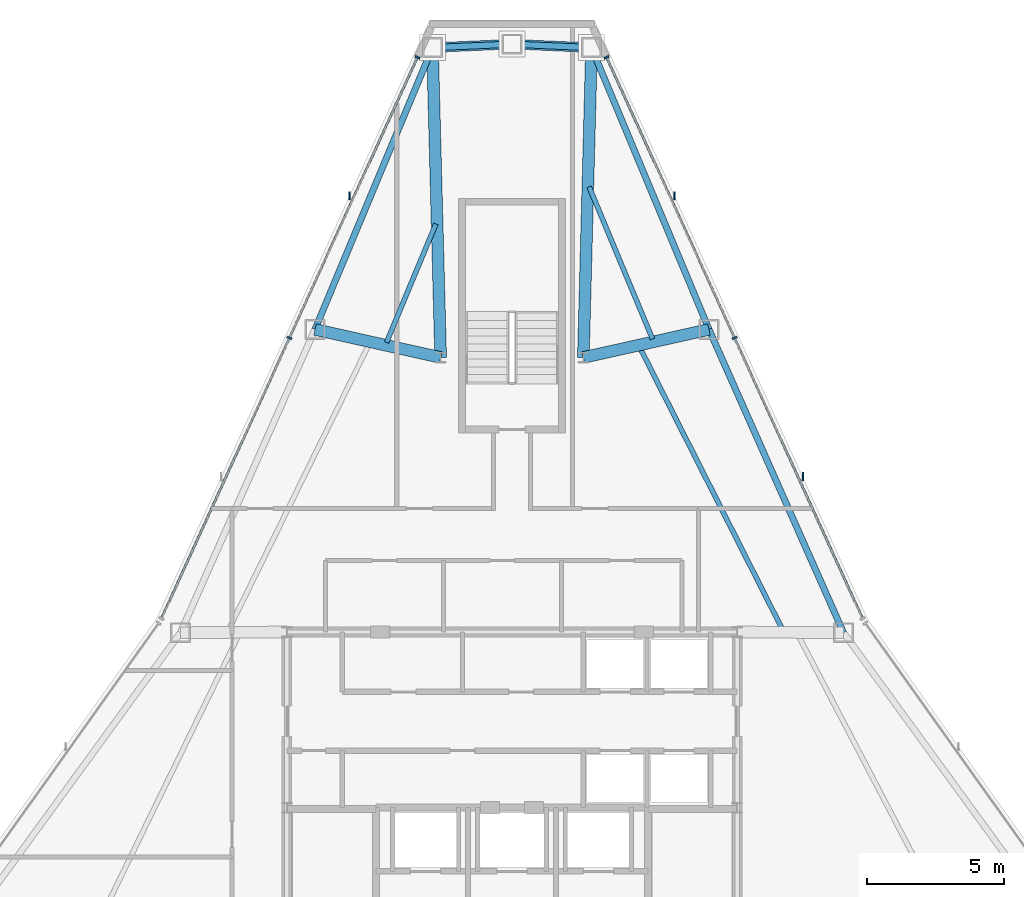
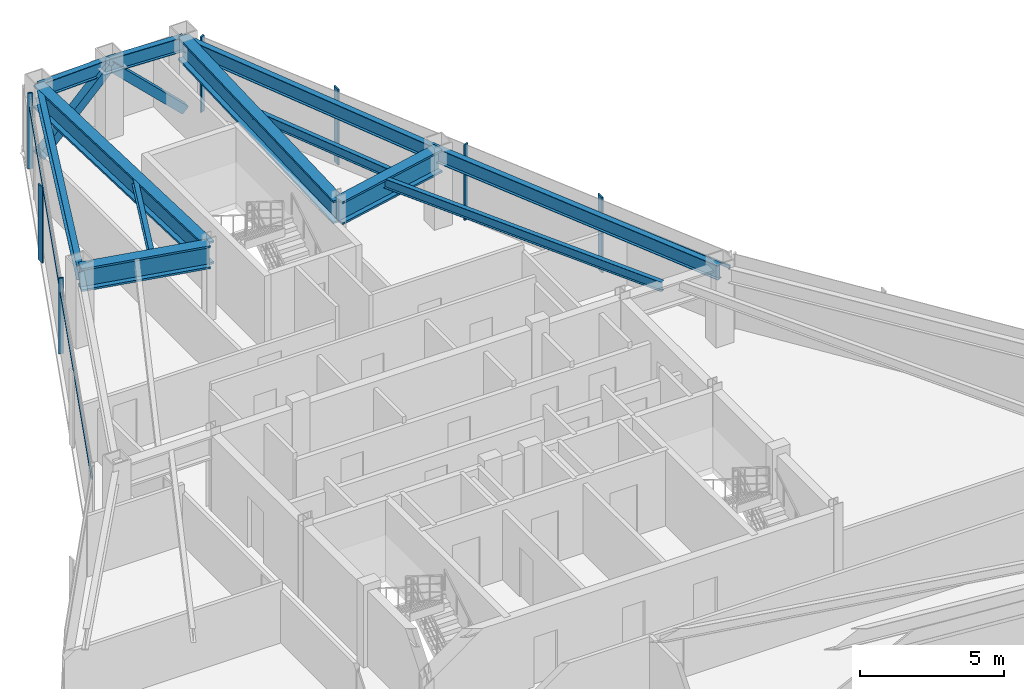
# One storey, part 7 of 11: 12 beams, 11 members, 2 elements without a shape of their own.
"""IFC4 building model written with IfcOpenShell, lengths in metres."""

from ifc_helpers import new_model, si_unit, direction, frame, origin, origin_2d, place, context, subcontext, project, spatial, rectangle, hollow_rectangle, i_section, extrude, source, transform, mapped, material, layer, layer_set, material_profile, profile_set, type_object, type_shapes, element, aggregate, save


model = new_model("IFC4")

# Units and contexts
model_context = context("Model", 3, precision=1e-05, world=origin(), true_north=direction((0.0, 1.0)))
body_context = subcontext(model_context, "Body", "Model", "MODEL_VIEW")
ifc_project = project(units=[si_unit("LENGTHUNIT", "METRE"), si_unit("AREAUNIT", "SQUARE_METRE"), si_unit("VOLUMEUNIT", "CUBIC_METRE"), si_unit("PLANEANGLEUNIT", "RADIAN"), si_unit("MASSUNIT", "GRAM", prefix="KILO")], contexts=[model_context])

# Site, building, storey
site_placement = place(None, origin())
site = spatial("IfcSite", under=ifc_project, at=site_placement, CompositionType="ELEMENT")
building_placement = place(site_placement, origin())
building = spatial("IfcBuilding", under=site, at=building_placement, Name="Varakhsha Concourse Tower", CompositionType="ELEMENT")
storey_placement = place(building_placement, frame((0.0, 0.0, 246.89990234375)))
storey = spatial("IfcBuildingStorey", under=building, at=storey_placement, Name="L70", CompositionType="ELEMENT", Elevation=246.89990234375)

# Beams
ifc_material_1 = material(Name="Structural Steel ASTM A992 Grade 50", Category="steel")
ifc_material_profile_1 = material_profile(ifc_material_1, i_section(OverallWidth=0.177978515625, OverallDepth=0.406982421875, WebThickness=0.008056640625, FlangeThickness=0.012939453125, at=origin_2d()), Name="W16X40")
ifc_profile_set_1 = profile_set([ifc_material_profile_1], Name="Structural Steel ASTM A992 Grade 50")
beam_type_1 = type_object("IfcBeamType", Name="BM-JST-W16X40", PredefinedType="JOIST", material=ifc_profile_set_1)
beam_1_placement = place(storey_placement, frame((37.22705078125, 46.066162109375, 2.99658203125), z_axis=(-0.384778558787, -0.923008916911, 0.0), x_axis=(0.923008916911, -0.384778558787, 0.0)))
element("IfcBeam", 1, at=beam_1_placement, inside=storey, type_object=beam_type_1, Name="BM-TJST-L70-03", PredefinedType="JOIST", context=body_context, shape_type="SweptSolid", body=[
    extrude(i_section(OverallWidth=0.177978515625, OverallDepth=0.406982421875, WebThickness=0.008056640625, FlangeThickness=0.012939453125, at=origin_2d()), origin(), (0.0, 0.0, 1.0), 4.67431640625),
])
beam_2_placement = place(storey_placement, frame((49.857177734375, 31.28662109375, 2.99658203125), z_axis=(-0.451444386445, 0.892299258067, 0.0), x_axis=(-0.892299258067, -0.451444386445, 0.0)))
element("IfcBeam", 2, at=beam_2_placement, inside=storey, type_object=beam_type_1, Name="BM-TJST-L70-17", PredefinedType="JOIST", context=body_context, shape_type="SweptSolid", body=[
    extrude(i_section(OverallWidth=0.177978515625, OverallDepth=0.406982421875, WebThickness=0.008056640625, FlangeThickness=0.012939453125, at=origin_2d()), origin(), (0.0, 0.0, 1.0), 11.50439453125),
])
beam_3_placement = place(storey_placement, frame((45.120849609375, 41.87451171875, 2.99658203125), z_axis=(-0.384779810323, 0.923008395177, 0.0), x_axis=(-0.923008395177, -0.384779810323, 0.0)))
element("IfcBeam", 3, at=beam_3_placement, inside=storey, type_object=beam_type_1, Name="BM-TJST-L70-18", PredefinedType="JOIST", context=body_context, shape_type="SweptSolid", body=[
    extrude(i_section(OverallWidth=0.177978515625, OverallDepth=0.406982421875, WebThickness=0.008056640625, FlangeThickness=0.012939453125, at=origin_2d()), origin(), (0.0, 0.0, 1.0), 6.00927734375),
])
ifc_material_profile_2 = material_profile(ifc_material_1, i_section(OverallWidth=0.22900390625, OverallDepth=0.612060546875, WebThickness=0.011962890625, FlangeThickness=0.02001953125, at=origin_2d()), Name="W24X84")
ifc_profile_set_2 = profile_set([ifc_material_profile_2], Name="Structural Steel ASTM A992 Grade 50")
beam_type_2 = type_object("IfcBeamType", Name="BM-SPAN-W24X84", PredefinedType="SPANDREL", material=ifc_profile_set_2)
for number, where, z_axis, x_axis, name in (
    (4, (42.89697265625, 52.490478515625, 2.89404296875), (-0.99904484587, 0.043696635345, 0.0), (-0.043696635345, -0.99904484587, 0.0), "BM-SPAN-L70-01"),
    (5, (40.0, 52.6171875, 2.89404296875), (-0.99904484587, -0.043696635345, 0.0), (0.043696635345, -0.99904484587, 0.0), "BM-SPAN-L70-02"),
):
    element("IfcBeam", number, at=place(storey_placement, frame(where, z_axis=z_axis, x_axis=x_axis)), inside=storey, type_object=beam_type_2, Name=name, PredefinedType="SPANDREL", context=body_context, shape_type="SweptSolid", body=[
        extrude(i_section(OverallWidth=0.22900390625, OverallDepth=0.612060546875, WebThickness=0.011962890625, FlangeThickness=0.02001953125, at=origin_2d()), origin(), (0.0, 0.0, 1.0), 2.899658203125),
    ])
beam_4_placement = place(storey_placement, frame((37.10302734375, 52.490478515625, 2.89404296875), z_axis=(-0.3847852447, -0.923006129698, 0.0), x_axis=(0.923006129698, -0.3847852447, 0.0)))
element("IfcBeam", 6, at=beam_4_placement, inside=storey, type_object=beam_type_2, Name="BM-SPAN-L70-03", PredefinedType="SPANDREL", context=body_context, shape_type="SweptSolid", body=[
    extrude(i_section(OverallWidth=0.22900390625, OverallDepth=0.612060546875, WebThickness=0.011962890625, FlangeThickness=0.02001953125, at=origin_2d()), origin(), (0.0, 0.0, 1.0), 11.123779296875),
])
beam_5_placement = place(storey_placement, frame((52.0791015625, 31.173828125, 2.89404296875), z_axis=(-0.405519963053, 0.914086188259, 0.0), x_axis=(-0.914086188259, -0.405519963053, 0.0)))
element("IfcBeam", 7, at=beam_5_placement, inside=storey, type_object=beam_type_2, Name="BM-SPAN-L70-17", PredefinedType="SPANDREL", context=body_context, shape_type="SweptSolid", body=[
    extrude(i_section(OverallWidth=0.22900390625, OverallDepth=0.612060546875, WebThickness=0.011962890625, FlangeThickness=0.02001953125, at=origin_2d()), origin(), (0.0, 0.0, 1.0), 12.087890625),
])
beam_6_placement = place(storey_placement, frame((47.17724609375, 42.22314453125, 2.89404296875), z_axis=(-0.3847852447, 0.923006129698, 0.0), x_axis=(-0.923006129698, -0.3847852447, 0.0)))
element("IfcBeam", 8, at=beam_6_placement, inside=storey, type_object=beam_type_2, Name="BM-SPAN-L70-18", PredefinedType="SPANDREL", context=body_context, shape_type="SweptSolid", body=[
    extrude(i_section(OverallWidth=0.22900390625, OverallDepth=0.612060546875, WebThickness=0.011962890625, FlangeThickness=0.02001953125, at=origin_2d()), origin(), (0.0, 0.0, 1.0), 11.123779296875),
])
ifc_material_profile_3 = material_profile(ifc_material_1, i_section(OverallWidth=0.427978515625, OverallDepth=0.97509765625, WebThickness=0.050048828125, FlangeThickness=0.0810546875, at=origin_2d()), Name="W36X395")
ifc_profile_set_3 = profile_set([ifc_material_profile_3], Name="Structural Steel ASTM A992 Grade 50")
beam_type_3 = type_object("IfcBeamType", Name="BM-XFER-W36X395", PredefinedType="USERDEFINED", material=ifc_profile_set_3)
for number, where, z_axis, x_axis, name in (
    (9, (42.60009765625, 41.199951171875, 2.712646484375), (0.026285081021, 0.999654487568, 0.0), (-0.999654487568, 0.026285081021, 0.0), "L70 Radial Floor Girder 01"),
    (10, (37.39990234375, 41.199951171875, 2.712646484375), (-0.026285081021, 0.999654487568, 0.0), (-0.999654487568, -0.026285081021, 0.0), "L70 Radial Floor Girder 03"),
):
    element("IfcBeam", number, at=place(storey_placement, frame(where, z_axis=z_axis, x_axis=x_axis)), inside=storey, type_object=beam_type_3, Name=name, ObjectType="GIRDER", PredefinedType="USERDEFINED", context=body_context, shape_type="SweptSolid", body=[
        extrude(i_section(OverallWidth=0.427978515625, OverallDepth=0.97509765625, WebThickness=0.050048828125, FlangeThickness=0.0810546875, at=origin_2d()), origin(), (0.0, 0.0, 1.0), 11.29443359375),
    ])
for number, where, z_axis, x_axis, name in (
    (11, (37.39990234375, 41.199951171875, 2.712646484375), (-0.975913154691, 0.21815937867, 0.0), (-0.21815937867, -0.975913154691, 0.0), "L70 Radial Floor Girder 04"),
    (12, (42.60009765625, 41.199951171875, 2.712646484375), (0.975913154691, 0.21815937867, 0.0), (-0.21815937867, 0.975913154691, 0.0), "L70 Radial Floor Girder 18"),
):
    element("IfcBeam", number, at=place(storey_placement, frame(where, z_axis=z_axis, x_axis=x_axis)), inside=storey, type_object=beam_type_3, Name=name, ObjectType="GIRDER", PredefinedType="USERDEFINED", context=body_context, shape_type="SweptSolid", body=[
        extrude(i_section(OverallWidth=0.427978515625, OverallDepth=0.97509765625, WebThickness=0.050048828125, FlangeThickness=0.0810546875, at=origin_2d()), origin(), (0.0, 0.0, 1.0), 4.690185546875),
    ])

# Members
ifc_material_2 = material(Name="Structural Steel ASTM A500 Grade C", Category="steel")
ifc_material_profile_4 = material_profile(ifc_material_2, hollow_rectangle(XDim=0.35009765625, YDim=0.35009765625, WallThickness=0.01611328125, at=origin_2d()), Name="HSS 350x350x16")
ifc_profile_set_4 = profile_set([ifc_material_profile_4], Name="Structural Steel ASTM A500 Grade C")
member_type_1 = type_object("IfcMemberType", Name="MB-TUBE-HSS350", PredefinedType="BRACE", material=ifc_profile_set_4)
shared_shape_1 = source(origin(), body_context, "Body", "SweptSolid", [
    extrude(hollow_rectangle(XDim=0.35009765625, YDim=0.35009765625, WallThickness=0.01611328125, at=origin_2d()), origin(), (0.0, 0.0, 1.0), 4.01708984375),
])
type_shapes(member_type_1, [shared_shape_1])
for number, where, z_axis, x_axis, name in (
    (13, (42.89697265625, 52.490478515625, 0.1201171875), (-0.721160735566, 0.031542425565, 0.692049325458), (-0.043696635345, -0.99904484587, 0.0), "L70 Wind-Corner Tube Brace B01"),
    (14, (37.10302734375, 52.490478515625, 0.1201171875), (0.721160735566, 0.031542425565, 0.692049325458), (-0.043696635345, 0.99904484587, 0.0), "L70 Wind-Corner Tube Brace B02"),
):
    element("IfcMember", number, at=place(storey_placement, frame(where, z_axis=z_axis, x_axis=x_axis)), inside=storey, type_object=member_type_1, Name=name, PredefinedType="BRACE", context=body_context, shape_type="MappedRepresentation", body=[
        mapped(shared_shape_1, transform((0.0, 0.0, 0.0), scale=1.0)),
    ])

# Curtain wall, member
ifc_material_3 = material(Name="Anodised Bronze Architectural Aluminium AA 6063-T6", Category="aluminium")
ifc_layer = layer(ifc_material_3, 0.199951171875, Name="CW-SYS-05")
ifc_layer_set = layer_set([ifc_layer], Name="Anodised Bronze Architectural Aluminium AA 6063-T6")
curtain_wall_type = type_object("IfcCurtainWallType", Name="CW-SYS-05", PredefinedType="NOTDEFINED", material=ifc_layer_set)
curtain_wall_1_placement = place(storey_placement, origin())
curtain_wall_1 = element("IfcCurtainWall", 15, at=curtain_wall_1_placement, inside=storey, type_object=curtain_wall_type, Name="L70 Crystal Curtain Wall F2", PredefinedType="NOTDEFINED")
ifc_material_profile_5 = material_profile(ifc_material_3, rectangle(XDim=0.06005859375, YDim=0.139892578125, at=origin_2d()), Name="CWT-140X60")
ifc_profile_set_5 = profile_set([ifc_material_profile_5], Name="Anodised Bronze Architectural Aluminium AA 6063-T6")
member_type_2 = type_object("IfcMemberType", Name="CWT-140X60", PredefinedType="USERDEFINED", material=ifc_profile_set_5)
shared_shape_2 = source(origin(), body_context, "Body", "SweptSolid", [
    extrude(rectangle(XDim=0.06005859375, YDim=0.139892578125, at=origin_2d()), origin(), (0.0, 0.0, 1.0), 22.481201171875),
])
type_shapes(member_type_2, [shared_shape_2])
member_1_placement = place(storey_placement, frame((27.223388671875, 31.686279296875, 2.550048828125), z_axis=(0.415124719338, 0.909764512055, 0.0), x_axis=(-0.909764512055, 0.415124719338, 0.0)))
member_1 = element("IfcMember", 16, at=member_1_placement, type_object=member_type_2, Name="CW-L70-F2 Transom 01", ObjectType="TRANSOM", PredefinedType="USERDEFINED", context=body_context, shape_type="MappedRepresentation", body=[
    mapped(shared_shape_2, transform((0.0, 0.0, 0.0), scale=1.0)),
])

curtain_wall_2_placement = place(storey_placement, origin())
curtain_wall_2 = element("IfcCurtainWall", 17, at=curtain_wall_2_placement, inside=storey, type_object=curtain_wall_type, Name="L70 Crystal Curtain Wall F9", PredefinedType="NOTDEFINED")
member_2_placement = place(storey_placement, frame((43.444091796875, 52.138916015625, 2.550048828125), z_axis=(0.415124719338, -0.909764512055, 0.0), x_axis=(0.909764512055, 0.415124719338, 0.0)))
member_2 = element("IfcMember", 18, at=member_2_placement, type_object=member_type_2, Name="CW-L70-F9 Transom 01", ObjectType="TRANSOM", PredefinedType="USERDEFINED", context=body_context, shape_type="MappedRepresentation", body=[
    mapped(shared_shape_2, transform((0.0, 0.0, 0.0), scale=1.0)),
])

# Member
ifc_material_profile_6 = material_profile(ifc_material_3, rectangle(XDim=0.06494140625, YDim=0.179931640625, at=origin_2d()), Name="CWM-180X65")
ifc_profile_set_6 = profile_set([ifc_material_profile_6], Name="Anodised Bronze Architectural Aluminium AA 6063-T6")
member_type_3 = type_object("IfcMemberType", Name="CWM-180X65", PredefinedType="MULLION", material=ifc_profile_set_6)
shared_shape_3 = source(origin(), body_context, "Body", "SweptSolid", [
    extrude(rectangle(XDim=0.06494140625, YDim=0.179931640625, at=origin_2d()), origin(), (0.0, 0.0, 1.0), 3.2001953125),
])
type_shapes(member_type_3, [shared_shape_3])
member_3_placement = place(storey_placement, frame((31.8896484375, 41.91259765625, 0.0), z_axis=(0.0, 0.0, 1.0), x_axis=(0.415133120597, 0.909760678521, 0.0)))
member_3 = element("IfcMember", 19, at=member_3_placement, type_object=member_type_3, Name="CW-L70-F2 Mullion 01", PredefinedType="MULLION", context=body_context, shape_type="MappedRepresentation", body=[
    mapped(shared_shape_3, transform((0.0, 0.0, 0.0), scale=1.0)),
])

member_4_placement = place(storey_placement, frame((36.555908203125, 52.138916015625, 0.0), z_axis=(0.0, 0.0, 1.0), x_axis=(0.415133120597, 0.909760678521, 0.0)))
member_4 = element("IfcMember", 20, at=member_4_placement, type_object=member_type_3, Name="CW-L70-F2 Mullion 02", PredefinedType="MULLION", context=body_context, shape_type="MappedRepresentation", body=[
    mapped(shared_shape_3, transform((0.0, 0.0, 0.0), scale=1.0)),
])

member_5_placement = place(storey_placement, frame((43.444091796875, 52.138916015625, 0.0), z_axis=(0.0, 0.0, 1.0), x_axis=(0.415133120597, -0.909760678521, 0.0)))
member_5 = element("IfcMember", 21, at=member_5_placement, type_object=member_type_3, Name="CW-L70-F9 Mullion 00", PredefinedType="MULLION", context=body_context, shape_type="MappedRepresentation", body=[
    mapped(shared_shape_3, transform((0.0, 0.0, 0.0), scale=1.0)),
])

member_6_placement = place(storey_placement, frame((48.1103515625, 41.91259765625, 0.0), z_axis=(0.0, 0.0, 1.0), x_axis=(0.415133120597, -0.909760678521, 0.0)))
member_6 = element("IfcMember", 22, at=member_6_placement, type_object=member_type_3, Name="CW-L70-F9 Mullion 01", PredefinedType="MULLION", context=body_context, shape_type="MappedRepresentation", body=[
    mapped(shared_shape_3, transform((0.0, 0.0, 0.0), scale=1.0)),
])

ifc_material_profile_7 = material_profile(ifc_material_3, rectangle(XDim=0.054931640625, YDim=0.300048828125, at=origin_2d()), Name="FIN-BRZ-300")
ifc_profile_set_7 = profile_set([ifc_material_profile_7], Name="Anodised Bronze Architectural Aluminium AA 6063-T6")
member_type_4 = type_object("IfcMemberType", Name="FIN-BRZ-300", PredefinedType="USERDEFINED", material=ifc_profile_set_7)
shared_shape_4 = source(origin(), body_context, "Body", "SweptSolid", [
    extrude(rectangle(XDim=0.054931640625, YDim=0.300048828125, at=origin_2d()), origin(), (0.0, 0.0, 1.0), 3.2001953125),
])
type_shapes(member_type_4, [shared_shape_4])
member_7_placement = place(storey_placement, frame((34.07275390625, 47.09423828125, 0.0), z_axis=(0.0, 0.0, 1.0), x_axis=(1.0, 0.0, 0.0)))
member_7 = element("IfcMember", 23, at=member_7_placement, type_object=member_type_4, Name="L70 Anodised Bronze Solar Fin F2-2", ObjectType="SOLAR FIN", PredefinedType="USERDEFINED", context=body_context, shape_type="MappedRepresentation", body=[
    mapped(shared_shape_4, transform((0.0, 0.0, 0.0), scale=1.0)),
])

aggregate(curtain_wall_1, [member_3, member_4, member_1, member_7])

member_8_placement = place(storey_placement, frame((45.92724609375, 47.09423828125, 0.0), z_axis=(0.0, 0.0, 1.0), x_axis=(1.0, 0.0, 0.0)))
member_8 = element("IfcMember", 24, at=member_8_placement, type_object=member_type_4, Name="L70 Anodised Bronze Solar Fin F9-1", ObjectType="SOLAR FIN", PredefinedType="USERDEFINED", context=body_context, shape_type="MappedRepresentation", body=[
    mapped(shared_shape_4, transform((0.0, 0.0, 0.0), scale=1.0)),
])

member_9_placement = place(storey_placement, frame((50.593505859375, 36.867919921875, 0.0), z_axis=(0.0, 0.0, 1.0), x_axis=(1.0, 0.0, 0.0)))
member_9 = element("IfcMember", 25, at=member_9_placement, type_object=member_type_4, Name="L70 Anodised Bronze Solar Fin F9-2", ObjectType="SOLAR FIN", PredefinedType="USERDEFINED", context=body_context, shape_type="MappedRepresentation", body=[
    mapped(shared_shape_4, transform((0.0, 0.0, 0.0), scale=1.0)),
])

aggregate(curtain_wall_2, [member_5, member_6, member_2, member_8, member_9])

save(model, "model.ifc")
